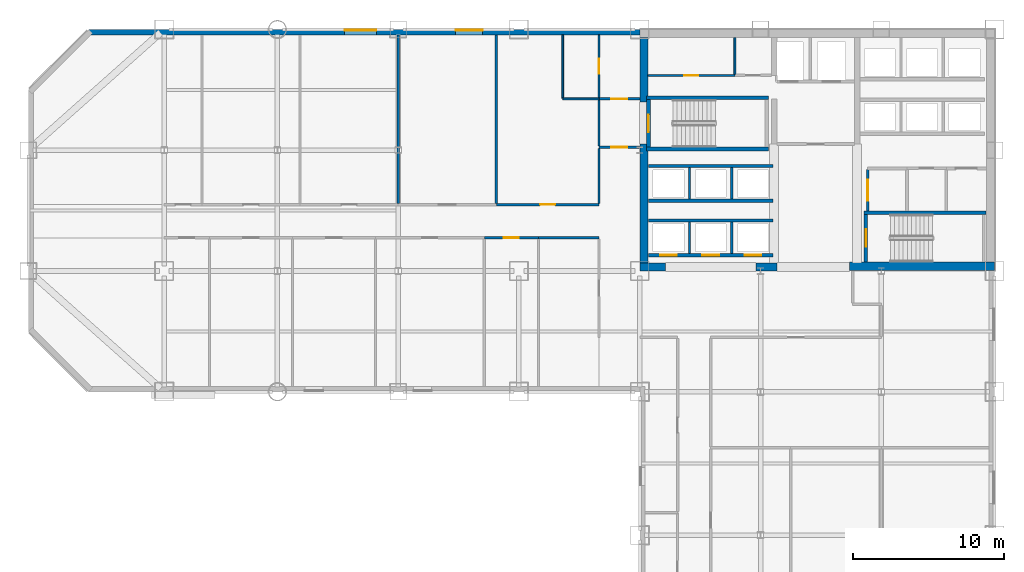
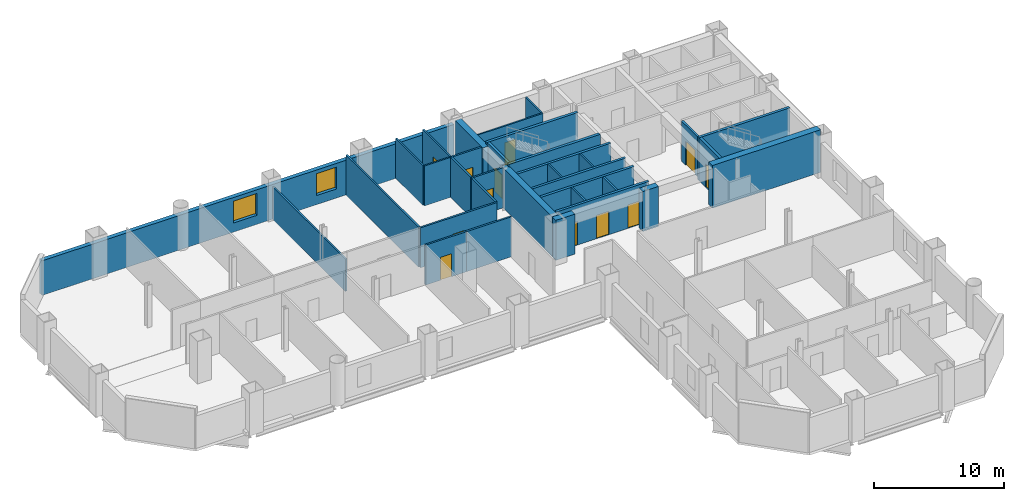
# One storey, part 6 of 9: 34 walls, 12 doors, 2 windows, 14 openings.
"""IFC4 building model written with IfcOpenShell, lengths in metres."""

from ifc_helpers import new_model, si_unit, direction, frame, frame_2d, origin, place, context, subcontext, project, spatial, rectangle, extrude, material, layer, layer_set, type_object, element, fill, save


model = new_model("IFC4")

# Units and contexts
model_context = context("Model", 3, precision=1e-05, world=origin(), true_north=direction((0.0, 1.0)))
body_context = subcontext(model_context, "Body", "Model", "MODEL_VIEW")
ifc_project = project(units=[si_unit("LENGTHUNIT", "METRE"), si_unit("AREAUNIT", "SQUARE_METRE"), si_unit("VOLUMEUNIT", "CUBIC_METRE"), si_unit("PLANEANGLEUNIT", "RADIAN"), si_unit("MASSUNIT", "GRAM", prefix="KILO")], contexts=[model_context])

# Site, building, storey
site_placement = place(None, origin())
site = spatial("IfcSite", under=ifc_project, at=site_placement, CompositionType="ELEMENT")
building_placement = place(site_placement, origin())
building = spatial("IfcBuilding", under=site, at=building_placement, Name="Qianrong Seaharbour Tower", CompositionType="ELEMENT")
storey_placement = place(building_placement, frame((0.0, 0.0, 92.199951171875)))
storey = spatial("IfcBuildingStorey", under=building, at=storey_placement, Name="L22", CompositionType="ELEMENT", Elevation=92.199951171875)

# Walls
ifc_material_1 = material(Name="Concrete C70/85", Category="concrete")
ifc_layer_1 = layer(ifc_material_1, 0.5400390625)
ifc_layer_set_1 = layer_set([ifc_layer_1], Name="Concrete C70/85")
wall_type_1 = type_object("IfcWallType", Name="WALL-CORE-540", PredefinedType="SHEAR", material=ifc_layer_set_1)
wall_1_placement = place(storey_placement, frame((40.77001953125, 36.5400390625, 0.0), z_axis=(0.0, 0.0, 1.0), x_axis=(0.0, 1.0, 0.0)))
element("IfcWall", 1, at=wall_1_placement, inside=storey, type_object=wall_type_1, Name="L22 West Core Shear Wall South", PredefinedType="SHEAR", context=body_context, shape_type="SweptSolid", body=[
    extrude(rectangle(XDim=7.85986328125, YDim=0.5400390625, at=frame_2d((3.929931640625, 0.0))), origin(), (0.0, 0.0, 1.0), 3.75),
])
wall_2_placement = place(storey_placement, frame((40.77001953125, 47.199951171875, 0.0), z_axis=(0.0, 0.0, 1.0), x_axis=(0.0, 1.0, 0.0)))
element("IfcWall", 2, at=wall_2_placement, inside=storey, type_object=wall_type_1, Name="L22 West Core Shear Wall North", PredefinedType="SHEAR", context=body_context, shape_type="SweptSolid", body=[
    extrude(rectangle(XDim=4.260009765625, YDim=0.5400390625, at=frame_2d((2.1298828125, 0.0))), origin(), (0.0, 0.0, 1.0), 3.75),
])
wall_3_placement = place(storey_placement, frame((40.5, 36.27001953125, 0.0), z_axis=(0.0, 0.0, 1.0), x_axis=(1.0, 0.0, 0.0)))
element("IfcWall", 3, at=wall_3_placement, inside=storey, type_object=wall_type_1, Name="L22 South Core Shear Wall S1", PredefinedType="SHEAR", context=body_context, shape_type="SweptSolid", body=[
    extrude(rectangle(XDim=1.699951171875, YDim=0.5400390625, at=frame_2d((0.85009765625, 0.0))), origin(), (0.0, 0.0, 1.0), 3.75),
])
wall_4_placement = place(storey_placement, frame((48.199951171875, 36.27001953125, 0.0), z_axis=(0.0, 0.0, 1.0), x_axis=(1.0, 0.0, 0.0)))
element("IfcWall", 4, at=wall_4_placement, inside=storey, type_object=wall_type_1, Name="L22 South Core Shear Wall S2", PredefinedType="SHEAR", context=body_context, shape_type="SweptSolid", body=[
    extrude(rectangle(XDim=1.400146484375, YDim=0.5400390625, at=frame_2d((0.7001953125, 0.0))), origin(), (0.0, 0.0, 1.0), 3.75),
])
ifc_layer_2 = layer(ifc_material_1, 0.580078125)
ifc_layer_set_2 = layer_set([ifc_layer_2], Name="Concrete C70/85")
wall_type_2 = type_object("IfcWallType", Name="WALL-CORE-580", PredefinedType="SHEAR", material=ifc_layer_set_2)
wall_5_placement = place(storey_placement, frame((54.39990234375, 36.320068359375, 0.0), z_axis=(0.0, 0.0, 1.0), x_axis=(1.0, 0.0, 0.0)))
element("IfcWall", 5, at=wall_5_placement, inside=storey, type_object=wall_type_2, Name="L22 South Core Shear Wall S3", PredefinedType="SHEAR", context=body_context, shape_type="SweptSolid", body=[
    extrude(rectangle(XDim=9.60009765625, YDim=0.580078125, at=frame_2d((4.800048828125, 0.0))), origin(), (0.0, 0.0, 1.0), 4.0),
])

# Wall, opening, door
ifc_material_2 = material(Name="Fire-rated acoustic gypsum board partition")
ifc_layer_3 = layer(ifc_material_2, 0.1650390625)
ifc_layer_set_3 = layer_set([ifc_layer_3], Name="Fire-rated acoustic gypsum board partition")
wall_type_3 = type_object("IfcWallType", Name="WALL-CORR-PART-165", PredefinedType="PARTITIONING", material=ifc_layer_set_3)
wall_6_placement = place(storey_placement, frame((37.800048828125, 47.39990234375, 0.0), z_axis=(0.0, 0.0, 1.0), x_axis=(1.0, 0.0, 0.0)))
wall_6 = element("IfcWall", 6, at=wall_6_placement, inside=storey, type_object=wall_type_3, Name="L22 Interior Partition Wall 001", PredefinedType="PARTITIONING", context=body_context, shape_type="SweptSolid", body=[
    extrude(rectangle(XDim=2.699951171875, YDim=0.1650390625, at=frame_2d((1.35009765625, 0.0))), origin(), (0.0, 0.0, 1.0), 3.75),
])
opening_1_placement = place(wall_6_placement, frame((0.824951171875, 0.0, 0.0)))
opening_1 = element("IfcOpeningElement", 7, at=opening_1_placement, cuts=wall_6, Name="Opening DC-01", PredefinedType="OPENING", context=body_context, shape_type="SweptSolid", body=[
    extrude(rectangle(XDim=1.050048828125, YDim=2.14990234375, at=frame_2d((0.52490234375, 1.074951171875))), frame((0.0, 0.092529296875, 0.0), z_axis=(0.0, -1.0, 0.0), x_axis=(1.0, 0.0, 0.0)), (0.0, 0.0, 1.0), 0.18505859375),
])
ifc_material_3 = material(Name="Acoustic timber and galvanized steel fire door assembly", Category="steel")
door_type_1 = type_object("IfcDoorType", Name="DOOR-CORR-FD60-1050x2150", OperationType="NOTDEFINED", PredefinedType="DOOR", material=ifc_material_3)
door_1_placement = place(opening_1_placement, origin())
door_1 = element("IfcDoor", 8, at=door_1_placement, inside=storey, type_object=door_type_1, Name="L22 Smokeproof Stair Vestibule ST-1 Door", OperationType="SINGLE_SWING_LEFT", OverallHeight=2.14990234375, OverallWidth=1.050048828125, PredefinedType="DOOR", context=body_context, shape_type="SweptSolid", body=[
    extrude(rectangle(XDim=1.050048828125, YDim=2.14990234375, at=frame_2d((0.52490234375, 1.074951171875))), frame((0.0, 0.02490234375, 0.0), z_axis=(0.0, -1.0, 0.0), x_axis=(1.0, 0.0, 0.0)), (0.0, 0.0, 1.0), 0.050048828125),
])
fill(opening_1, door_1)

wall_7_placement = place(storey_placement, frame((40.5, 44.199951171875, 0.0), z_axis=(0.0, 0.0, 1.0), x_axis=(-1.0, 0.0, 0.0)))
wall_7 = element("IfcWall", 9, at=wall_7_placement, inside=storey, type_object=wall_type_3, Name="L22 Interior Partition Wall 002", PredefinedType="PARTITIONING", context=body_context, shape_type="SweptSolid", body=[
    extrude(rectangle(XDim=2.699951171875, YDim=0.1650390625, at=frame_2d((1.35009765625, 0.0))), origin(), (0.0, 0.0, 1.0), 3.75),
])
opening_2_placement = place(wall_7_placement, frame((0.824951171875, 0.0, 0.0)))
opening_2 = element("IfcOpeningElement", 10, at=opening_2_placement, cuts=wall_7, Name="Opening DC-01", PredefinedType="OPENING", context=body_context, shape_type="SweptSolid", body=[
    extrude(rectangle(XDim=1.050048828125, YDim=2.14990234375, at=frame_2d((0.52490234375, 1.074951171875))), frame((0.0, 0.092529296875, 0.0), z_axis=(0.0, -1.0, 0.0), x_axis=(1.0, 0.0, 0.0)), (0.0, 0.0, 1.0), 0.18505859375),
])
door_2_placement = place(opening_2_placement, origin())
door_2 = element("IfcDoor", 11, at=door_2_placement, inside=storey, type_object=door_type_1, Name="L22 Smokeproof Stair Vestibule ST-1 Door", OperationType="SINGLE_SWING_RIGHT", OverallHeight=2.14990234375, OverallWidth=1.050048828125, PredefinedType="DOOR", context=body_context, shape_type="SweptSolid", body=[
    extrude(rectangle(XDim=1.050048828125, YDim=2.14990234375, at=frame_2d((0.52490234375, 1.074951171875))), frame((0.0, 0.02490234375, 0.0), z_axis=(0.0, -1.0, 0.0), x_axis=(1.0, 0.0, 0.0)), (0.0, 0.0, 1.0), 0.050048828125),
])
fill(opening_2, door_2)

# Wall
wall_8_placement = place(storey_placement, frame((37.800048828125, 44.2744140625, 0.0), z_axis=(0.0, 0.0, 1.0), x_axis=(0.0, 1.0, 0.0)))
element("IfcWall", 12, at=wall_8_placement, inside=storey, type_object=wall_type_3, Name="L22 Interior Partition Wall 003", PredefinedType="PARTITIONING", context=body_context, shape_type="SweptSolid", body=[
    extrude(rectangle(XDim=3.051025390625, YDim=0.1650390625, at=frame_2d((1.525390625, 0.0))), origin(), (0.0, 0.0, 1.0), 3.75),
])

# Wall, opening, door
wall_9_placement = place(storey_placement, frame((31.0, 40.39990234375, 0.0), z_axis=(0.0, 0.0, 1.0), x_axis=(1.0, 0.0, 0.0)))
wall_9 = element("IfcWall", 13, at=wall_9_placement, inside=storey, type_object=wall_type_3, Name="L22 Interior Partition Wall 021", PredefinedType="PARTITIONING", context=body_context, shape_type="SweptSolid", body=[
    extrude(rectangle(XDim=6.800048828125, YDim=0.1650390625, at=frame_2d((3.39990234375, 0.0))), origin(), (0.0, 0.0, 1.0), 3.75),
])
opening_3_placement = place(wall_9_placement, frame((2.89990234375, 0.0, 0.0)))
opening_3 = element("IfcOpeningElement", 14, at=opening_3_placement, cuts=wall_9, Name="Opening DO-01", PredefinedType="OPENING", context=body_context, shape_type="SweptSolid", body=[
    extrude(rectangle(XDim=1.0, YDim=2.14990234375, at=frame_2d((0.5, 1.074951171875))), frame((0.0, 0.092529296875, 0.0), z_axis=(0.0, -1.0, 0.0), x_axis=(1.0, 0.0, 0.0)), (0.0, 0.0, 1.0), 0.18505859375),
])
door_type_2 = type_object("IfcDoorType", Name="DOOR-OFFICE-1000x2150", OperationType="NOTDEFINED", PredefinedType="DOOR", material=ifc_material_3)
door_3_placement = place(opening_3_placement, origin())
door_3 = element("IfcDoor", 15, at=door_3_placement, inside=storey, type_object=door_type_2, Name="L22 Vessel Model Showroom 5 Door", OperationType="SINGLE_SWING_RIGHT", OverallHeight=2.14990234375, OverallWidth=1.0, PredefinedType="DOOR", context=body_context, shape_type="SweptSolid", body=[
    extrude(rectangle(XDim=1.0, YDim=2.14990234375, at=frame_2d((0.5, 1.074951171875))), frame((0.0, 0.02490234375, 0.0), z_axis=(0.0, -1.0, 0.0), x_axis=(1.0, 0.0, 0.0)), (0.0, 0.0, 1.0), 0.050048828125),
])
fill(opening_3, door_3)

wall_10_placement = place(storey_placement, frame((33.800048828125, 38.199951171875, 0.0), z_axis=(0.0, 0.0, 1.0), x_axis=(-1.0, 0.0, 0.0)))
wall_10 = element("IfcWall", 16, at=wall_10_placement, inside=storey, type_object=wall_type_3, Name="L22 Interior Partition Wall 026", PredefinedType="PARTITIONING", context=body_context, shape_type="SweptSolid", body=[
    extrude(rectangle(XDim=3.60009765625, YDim=0.1650390625, at=frame_2d((1.800048828125, 0.0))), origin(), (0.0, 0.0, 1.0), 3.75),
])
opening_4_placement = place(wall_10_placement, frame((1.300048828125, 0.0, 0.0)))
opening_4 = element("IfcOpeningElement", 17, at=opening_4_placement, cuts=wall_10, Name="Opening DO-01", PredefinedType="OPENING", context=body_context, shape_type="SweptSolid", body=[
    extrude(rectangle(XDim=1.0, YDim=2.14990234375, at=frame_2d((0.5, 1.074951171875))), frame((0.0, 0.092529296875, 0.0), z_axis=(0.0, -1.0, 0.0), x_axis=(1.0, 0.0, 0.0)), (0.0, 0.0, 1.0), 0.18505859375),
])
door_4_placement = place(opening_4_placement, origin())
door_4 = element("IfcDoor", 18, at=door_4_placement, inside=storey, type_object=door_type_2, Name="L22 Fleet Logistics Showroom 5 Door", OperationType="SINGLE_SWING_LEFT", OverallHeight=2.14990234375, OverallWidth=1.0, PredefinedType="DOOR", context=body_context, shape_type="SweptSolid", body=[
    extrude(rectangle(XDim=1.0, YDim=2.14990234375, at=frame_2d((0.5, 1.074951171875))), frame((0.0, 0.02490234375, 0.0), z_axis=(0.0, -1.0, 0.0), x_axis=(1.0, 0.0, 0.0)), (0.0, 0.0, 1.0), 0.050048828125),
])
fill(opening_4, door_4)

# Walls
wall_11_placement = place(storey_placement, frame((37.800048828125, 38.199951171875, 0.0), z_axis=(0.0, 0.0, 1.0), x_axis=(-1.0, 0.0, 0.0)))
element("IfcWall", 19, at=wall_11_placement, inside=storey, type_object=wall_type_3, Name="L22 Interior Partition Wall 027", PredefinedType="PARTITIONING", context=body_context, shape_type="SweptSolid", body=[
    extrude(rectangle(XDim=4.0, YDim=0.1650390625, at=frame_2d((2.0, 0.0))), origin(), (0.0, 0.0, 1.0), 3.75),
])
wall_12_placement = place(storey_placement, frame((37.800048828125, 40.474609375, 0.0), z_axis=(0.0, 0.0, 1.0), x_axis=(0.0, 1.0, 0.0)))
element("IfcWall", 20, at=wall_12_placement, inside=storey, type_object=wall_type_3, Name="L22 Interior Partition Wall 028", PredefinedType="PARTITIONING", context=body_context, shape_type="SweptSolid", body=[
    extrude(rectangle(XDim=3.65087890625, YDim=0.1650390625, at=frame_2d((1.825439453125, 0.0))), origin(), (0.0, 0.0, 1.0), 3.75),
])

# Wall, openings, windows
ifc_material_4 = material(Name="Unitised red brick on Precast concrete C45/55", Category="masonry")
ifc_layer_4 = layer(ifc_material_4, 0.360107421875)
ifc_layer_set_4 = layer_set([ifc_layer_4], Name="Unitised red brick on Precast concrete C45/55")
wall_type_4 = type_object("IfcWallType", Name="WALL-EXT-BRICK-RED-360", PredefinedType="SOLIDWALL", material=ifc_layer_set_4)
wall_13_placement = place(storey_placement, frame((4.0, 51.820068359375, 0.0), z_axis=(0.0, 0.0, 1.0), x_axis=(1.0, 0.0, 0.0)))
wall_13 = element("IfcWall", 21, at=wall_13_placement, inside=storey, type_object=wall_type_4, Name="L22 Exterior Masonry Facade Wall NORTH_WING", PredefinedType="SOLIDWALL", context=body_context, shape_type="SweptSolid", body=[
    extrude(rectangle(XDim=36.52001953125, YDim=0.360107421875, at=frame_2d((18.260009765625, 0.0))), origin(), (0.0, 0.0, 1.0), 3.25),
])
opening_5_placement = place(wall_13_placement, frame((16.949951171875, 0.0, 0.85009765625)))
opening_5 = element("IfcOpeningElement", 22, at=opening_5_placement, cuts=wall_13, Name="Opening WN-06", PredefinedType="OPENING", context=body_context, shape_type="SweptSolid", body=[
    extrude(rectangle(XDim=2.10009765625, YDim=2.050048828125, at=frame_2d((1.050048828125, 1.02490234375))), frame((0.0, 0.18994140625, 0.0), z_axis=(0.0, -1.0, 0.0), x_axis=(1.0, 0.0, 0.0)), (0.0, 0.0, 1.0), 0.380126953125),
])
opening_6_placement = place(wall_13_placement, frame((24.300048828125, 0.0, 0.85009765625)))
opening_6 = element("IfcOpeningElement", 23, at=opening_6_placement, cuts=wall_13, Name="Opening WN-05", PredefinedType="OPENING", context=body_context, shape_type="SweptSolid", body=[
    extrude(rectangle(XDim=1.800048828125, YDim=2.050048828125, at=frame_2d((0.89990234375, 1.02490234375))), frame((0.0, 0.18994140625, 0.0), z_axis=(0.0, -1.0, 0.0), x_axis=(1.0, 0.0, 0.0)), (0.0, 0.0, 1.0), 0.380126953125),
])
ifc_material_5 = material(Name="Insulated low-e double glazing in thermally broken aluminium 6063-T6 frame", Category="aluminium")
window_type_1 = type_object("IfcWindowType", Name="WIN-PUNCH-1800x2050", PartitioningType="TRIPLE_PANEL_VERTICAL", PredefinedType="WINDOW", material=ifc_material_5)
window_1_placement = place(opening_6_placement, origin())
window_1 = element("IfcWindow", 24, at=window_1_placement, inside=storey, type_object=window_type_1, Name="L22 Deep-Set Punched Window 05.07", OverallHeight=2.050048828125, OverallWidth=1.800048828125, PartitioningType="TRIPLE_PANEL_VERTICAL", PredefinedType="WINDOW", context=body_context, shape_type="SweptSolid", body=[
    extrude(rectangle(XDim=1.800048828125, YDim=2.050048828125, at=frame_2d((0.89990234375, 1.02490234375))), frame((0.0, 0.150146484375, 0.0), z_axis=(0.0, -1.0, 0.0), x_axis=(1.0, 0.0, 0.0)), (0.0, 0.0, 1.0), 0.06005859375),
])
fill(opening_6, window_1)
window_type_2 = type_object("IfcWindowType", Name="WIN-PUNCH-2100x2050", PartitioningType="TRIPLE_PANEL_VERTICAL", PredefinedType="WINDOW", material=ifc_material_5)
window_2_placement = place(opening_5_placement, origin())
window_2 = element("IfcWindow", 25, at=window_2_placement, inside=storey, type_object=window_type_2, Name="L22 Deep-Set Punched Window 05.05", OverallHeight=2.050048828125, OverallWidth=2.10009765625, PartitioningType="TRIPLE_PANEL_VERTICAL", PredefinedType="WINDOW", context=body_context, shape_type="SweptSolid", body=[
    extrude(rectangle(XDim=2.10009765625, YDim=2.050048828125, at=frame_2d((1.050048828125, 1.02490234375))), frame((0.0, 0.150146484375, 0.0), z_axis=(0.0, -1.0, 0.0), x_axis=(1.0, 0.0, 0.0)), (0.0, 0.0, 1.0), 0.06005859375),
])
fill(opening_5, window_2)

# Wall, opening, door
ifc_material_6 = material(Name="Double fire-rated gypsum board acoustic partition")
ifc_layer_5 = layer(ifc_material_6, 0.18994140625)
ifc_layer_set_5 = layer_set([ifc_layer_5], Name="Double fire-rated gypsum board acoustic partition")
wall_type_5 = type_object("IfcWallType", Name="WALL-FIRE-PART-190", PredefinedType="PARTITIONING", material=ifc_layer_set_5)
wall_14_placement = place(storey_placement, frame((55.60009765625, 42.712890625, 0.0), z_axis=(0.0, 0.0, 1.0), x_axis=(0.0, -1.0, 0.0)))
wall_14 = element("IfcWall", 26, at=wall_14_placement, inside=storey, type_object=wall_type_5, Name="L22 Interior Partition Wall 010", PredefinedType="PARTITIONING", context=body_context, shape_type="SweptSolid", body=[
    extrude(rectangle(XDim=2.73095703125, YDim=0.18994140625, at=frame_2d((1.365478515625, 0.0))), origin(), (0.0, 0.0, 1.0), 3.75),
])
opening_7_placement = place(wall_14_placement, frame((0.66552734375, 0.0, 0.0)))
opening_7 = element("IfcOpeningElement", 27, at=opening_7_placement, cuts=wall_14, Name="Opening DP-01", PredefinedType="OPENING", context=body_context, shape_type="SweptSolid", body=[
    extrude(rectangle(XDim=1.39990234375, YDim=2.25, at=frame_2d((0.699951171875, 1.125))), frame((0.0, 0.10498046875, 0.0), z_axis=(0.0, -1.0, 0.0), x_axis=(1.0, 0.0, 0.0)), (0.0, 0.0, 1.0), 0.2099609375),
])
door_type_3 = type_object("IfcDoorType", Name="DOOR-PLANT-PAIR-1400x2250", OperationType="DOUBLE_DOOR_SINGLE_SWING", PredefinedType="DOOR", material=ifc_material_3)
door_5_placement = place(opening_7_placement, origin())
door_5 = element("IfcDoor", 28, at=door_5_placement, inside=storey, type_object=door_type_3, Name="L22 Core Telecom Room Door", OperationType="DOUBLE_DOOR_SINGLE_SWING", OverallHeight=2.25, OverallWidth=1.39990234375, PredefinedType="DOOR", context=body_context, shape_type="SweptSolid", body=[
    extrude(rectangle(XDim=1.39990234375, YDim=2.25, at=frame_2d((0.699951171875, 1.125))), frame((0.0, 0.02490234375, 0.0), z_axis=(0.0, -1.0, 0.0), x_axis=(1.0, 0.0, 0.0)), (0.0, 0.0, 1.0), 0.050048828125),
])
fill(opening_7, door_5)

# Walls
ifc_material_7 = material(Name="Acoustic gypsum board stud partition")
ifc_layer_6 = layer(ifc_material_7, 0.14501953125)
ifc_layer_set_6 = layer_set([ifc_layer_6], Name="Acoustic gypsum board stud partition")
wall_type_6 = type_object("IfcWallType", Name="WALL-OFFICE-PART-145", PredefinedType="PARTITIONING", material=ifc_layer_set_6)
wall_15_placement = place(storey_placement, frame((24.5, 51.64794921875, 0.0), z_axis=(0.0, 0.0, 1.0), x_axis=(0.0, -1.0, 0.0)))
element("IfcWall", 29, at=wall_15_placement, inside=storey, type_object=wall_type_6, Name="L22 Interior Partition Wall 054", PredefinedType="PARTITIONING", context=body_context, shape_type="SweptSolid", body=[
    extrude(rectangle(XDim=11.17333984375, YDim=0.14501953125, at=frame_2d((5.586669921875, 0.0))), origin(), (0.0, 0.0, 1.0), 3.0419921875),
])
wall_16_placement = place(storey_placement, frame((31.0, 51.64794921875, 0.0), z_axis=(0.0, 0.0, 1.0), x_axis=(0.0, -1.0, 0.0)))
element("IfcWall", 30, at=wall_16_placement, inside=storey, type_object=wall_type_6, Name="L22 Interior Partition Wall 055", PredefinedType="PARTITIONING", context=body_context, shape_type="SweptSolid", body=[
    extrude(rectangle(XDim=11.17333984375, YDim=0.14501953125, at=frame_2d((5.586669921875, 0.0))), origin(), (0.0, 0.0, 1.0), 3.75),
])
ifc_material_8 = material(Name="Fire-rated gypsum board on steel studs", Category="steel")
ifc_layer_7 = layer(ifc_material_8, 0.14990234375)
ifc_layer_set_7 = layer_set([ifc_layer_7], Name="Fire-rated gypsum board on steel studs")
wall_type_7 = type_object("IfcWallType", Name="WALL-SHAFT-DIV-150", PredefinedType="PARTITIONING", material=ifc_layer_set_7)
for number, where, z_axis, x_axis, name in (
    (31, (43.800048828125, 37.159912109375, 0.0), (0.0, 0.0, 1.0), (0.0, 1.0, 0.0), "L22 P1 Lift Hoistway Divider 2"),
    (32, (46.60009765625, 37.159912109375, 0.0), (0.0, 0.0, 1.0), (0.0, 1.0, 0.0), "L22 P1 Lift Hoistway Divider 3"),
    (33, (43.800048828125, 40.760009765625, 0.0), (0.0, 0.0, 1.0), (0.0, 1.0, 0.0), "L22 P2 Lift Hoistway Divider 2"),
    (34, (46.60009765625, 40.760009765625, 0.0), (0.0, 0.0, 1.0), (0.0, 1.0, 0.0), "L22 P2 Lift Hoistway Divider 3"),
):
    element("IfcWall", number, at=place(storey_placement, frame(where, z_axis=z_axis, x_axis=x_axis)), inside=storey, type_object=wall_type_7, Name=name, PredefinedType="PARTITIONING", context=body_context, shape_type="SweptSolid", body=[
        extrude(rectangle(XDim=2.080078125, YDim=0.14990234375, at=frame_2d((1.0400390625, 0.0))), origin(), (0.0, 0.0, 1.0), 3.75),
    ])

# Wall, openings, doors
ifc_layer_8 = layer(ifc_material_8, 0.219970703125)
ifc_layer_set_8 = layer_set([ifc_layer_8], Name="Fire-rated gypsum board on steel studs")
wall_type_8 = type_object("IfcWallType", Name="WALL-SHAFT-GYP220", PredefinedType="PARTITIONING", material=ifc_layer_set_8)
wall_17_placement = place(storey_placement, frame((49.320068359375, 37.050048828125, 0.0), z_axis=(0.0, 0.0, 1.0), x_axis=(-1.0, 0.0, 0.0)))
wall_17 = element("IfcWall", 35, at=wall_17_placement, inside=storey, type_object=wall_type_8, Name="L22 P1 Lift Hoistway Front Wall", PredefinedType="PARTITIONING", context=body_context, shape_type="SweptSolid", body=[
    extrude(rectangle(XDim=8.239990234375, YDim=0.219970703125, at=frame_2d((4.1201171875, 0.0))), origin(), (0.0, 0.0, 1.0), 3.75),
])
opening_8_placement = place(wall_17_placement, frame((6.3701171875, 0.0, 0.0)))
opening_8 = element("IfcOpeningElement", 36, at=opening_8_placement, cuts=wall_17, Name="Opening LD-02", PredefinedType="OPENING", context=body_context, shape_type="SweptSolid", body=[
    extrude(rectangle(XDim=1.10009765625, YDim=2.199951171875, at=frame_2d((0.550048828125, 1.10009765625))), frame((0.0, 0.1201171875, 0.0), z_axis=(0.0, -1.0, 0.0), x_axis=(1.0, 0.0, 0.0)), (0.0, 0.0, 1.0), 0.239990234375),
])
opening_9_placement = place(wall_17_placement, frame((3.570068359375, 0.0, 0.0)))
opening_9 = element("IfcOpeningElement", 37, at=opening_9_placement, cuts=wall_17, Name="Opening LD-02", PredefinedType="OPENING", context=body_context, shape_type="SweptSolid", body=[
    extrude(rectangle(XDim=1.10009765625, YDim=2.199951171875, at=frame_2d((0.550048828125, 1.10009765625))), frame((0.0, 0.1201171875, 0.0), z_axis=(0.0, -1.0, 0.0), x_axis=(1.0, 0.0, 0.0)), (0.0, 0.0, 1.0), 0.239990234375),
])
opening_10_placement = place(wall_17_placement, frame((0.77001953125, 0.0, 0.0)))
opening_10 = element("IfcOpeningElement", 38, at=opening_10_placement, cuts=wall_17, Name="Opening LD-02", PredefinedType="OPENING", context=body_context, shape_type="SweptSolid", body=[
    extrude(rectangle(XDim=1.10009765625, YDim=2.199951171875, at=frame_2d((0.550048828125, 1.10009765625))), frame((0.0, 0.1201171875, 0.0), z_axis=(0.0, -1.0, 0.0), x_axis=(1.0, 0.0, 0.0)), (0.0, 0.0, 1.0), 0.239990234375),
])
ifc_material_9 = material(Name="Stainless steel SUS316L bi-parting lift landing door", Category="steel")
door_type_4 = type_object("IfcDoorType", Name="DOOR-LIFT-PASS-1100x2200", OperationType="DOUBLE_DOOR_SLIDING", PredefinedType="DOOR", material=ifc_material_9)
door_6_placement = place(opening_8_placement, origin())
door_6 = element("IfcDoor", 39, at=door_6_placement, inside=storey, type_object=door_type_4, Name="L22 PL-1A Lift Landing Door", OperationType="DOUBLE_DOOR_SLIDING", OverallHeight=2.199951171875, OverallWidth=1.10009765625, PredefinedType="DOOR", context=body_context, shape_type="SweptSolid", body=[
    extrude(rectangle(XDim=1.10009765625, YDim=2.199951171875, at=frame_2d((0.550048828125, 1.10009765625))), frame((0.0, 0.02490234375, 0.0), z_axis=(0.0, -1.0, 0.0), x_axis=(1.0, 0.0, 0.0)), (0.0, 0.0, 1.0), 0.050048828125),
])
fill(opening_8, door_6)
door_7_placement = place(opening_9_placement, origin())
door_7 = element("IfcDoor", 40, at=door_7_placement, inside=storey, type_object=door_type_4, Name="L22 PL-1B Lift Landing Door", OperationType="DOUBLE_DOOR_SLIDING", OverallHeight=2.199951171875, OverallWidth=1.10009765625, PredefinedType="DOOR", context=body_context, shape_type="SweptSolid", body=[
    extrude(rectangle(XDim=1.10009765625, YDim=2.199951171875, at=frame_2d((0.550048828125, 1.10009765625))), frame((0.0, 0.02490234375, 0.0), z_axis=(0.0, -1.0, 0.0), x_axis=(1.0, 0.0, 0.0)), (0.0, 0.0, 1.0), 0.050048828125),
])
fill(opening_9, door_7)
door_8_placement = place(opening_10_placement, origin())
door_8 = element("IfcDoor", 41, at=door_8_placement, inside=storey, type_object=door_type_4, Name="L22 PL-1C Lift Landing Door", OperationType="DOUBLE_DOOR_SLIDING", OverallHeight=2.199951171875, OverallWidth=1.10009765625, PredefinedType="DOOR", context=body_context, shape_type="SweptSolid", body=[
    extrude(rectangle(XDim=1.10009765625, YDim=2.199951171875, at=frame_2d((0.550048828125, 1.10009765625))), frame((0.0, 0.02490234375, 0.0), z_axis=(0.0, -1.0, 0.0), x_axis=(1.0, 0.0, 0.0)), (0.0, 0.0, 1.0), 0.050048828125),
])
fill(opening_10, door_8)

# Walls
for number, where, z_axis, x_axis, name in (
    (42, (41.080078125, 39.35009765625, 0.0), (0.0, 0.0, 1.0), (1.0, 0.0, 0.0), "L22 P1 Lift Hoistway Back Wall"),
    (43, (49.320068359375, 40.64990234375, 0.0), (0.0, 0.0, 1.0), (-1.0, 0.0, 0.0), "L22 P2 Lift Hoistway Front Wall"),
    (44, (41.080078125, 42.949951171875, 0.0), (0.0, 0.0, 1.0), (1.0, 0.0, 0.0), "L22 P2 Lift Hoistway Back Wall"),
):
    element("IfcWall", number, at=place(storey_placement, frame(where, z_axis=z_axis, x_axis=x_axis)), inside=storey, type_object=wall_type_8, Name=name, PredefinedType="PARTITIONING", context=body_context, shape_type="SweptSolid", body=[
        extrude(rectangle(XDim=8.239990234375, YDim=0.219970703125, at=frame_2d((4.1201171875, 0.0))), origin(), (0.0, 0.0, 1.0), 3.75),
    ])
ifc_material_10 = material(Name="Concrete C50/60", Category="concrete")
ifc_layer_9 = layer(ifc_material_10, 0.239990234375)
ifc_layer_set_9 = layer_set([ifc_layer_9], Name="Concrete C50/60")
wall_type_9 = type_object("IfcWallType", Name="WALL-SHAFT-RC240", PredefinedType="SOLIDWALL", material=ifc_layer_set_9)
for number, where, z_axis, x_axis, name in (
    (45, (40.9599609375, 47.469970703125, 0.0), (0.0, 0.0, 1.0), (1.0, 0.0, 0.0), "L22 ST-1 Structural Stair Core Wall N"),
    (46, (49.0400390625, 44.080078125, 0.0), (0.0, 0.0, 1.0), (-1.0, 0.0, 0.0), "L22 ST-1 Structural Stair Core Wall S"),
):
    element("IfcWall", number, at=place(storey_placement, frame(where, z_axis=z_axis, x_axis=x_axis)), inside=storey, type_object=wall_type_9, Name=name, PredefinedType="SOLIDWALL", context=body_context, shape_type="SweptSolid", body=[
        extrude(rectangle(XDim=8.080078125, YDim=0.239990234375, at=frame_2d((4.0400390625, 0.0))), origin(), (0.0, 0.0, 1.0), 4.0),
    ])

# Wall, opening, door
wall_18_placement = place(storey_placement, frame((41.080078125, 47.35009765625, 0.0), z_axis=(0.0, 0.0, 1.0), x_axis=(0.0, -1.0, 0.0)))
wall_18 = element("IfcWall", 47, at=wall_18_placement, inside=storey, type_object=wall_type_9, Name="L22 ST-1 Structural Stair Core Wall W", PredefinedType="SOLIDWALL", context=body_context, shape_type="SweptSolid", body=[
    extrude(rectangle(XDim=3.150146484375, YDim=0.239990234375, at=frame_2d((1.5751953125, 0.0))), origin(), (0.0, 0.0, 1.0), 4.0),
])
opening_11_placement = place(wall_18_placement, frame((1.0, 0.0, 0.0)))
opening_11 = element("IfcOpeningElement", 48, at=opening_11_placement, cuts=wall_18, Name="Opening SD-01", PredefinedType="OPENING", context=body_context, shape_type="SweptSolid", body=[
    extrude(rectangle(XDim=1.14990234375, YDim=2.199951171875, at=frame_2d((0.574951171875, 1.10009765625))), frame((0.0, 0.1298828125, 0.0), z_axis=(0.0, -1.0, 0.0), x_axis=(1.0, 0.0, 0.0)), (0.0, 0.0, 1.0), 0.260009765625),
])
door_type_5 = type_object("IfcDoorType", Name="DOOR-STAIR-FD60-1150x2200", OperationType="NOTDEFINED", PredefinedType="DOOR", material=ifc_material_3)
door_9_placement = place(opening_11_placement, origin())
door_9 = element("IfcDoor", 49, at=door_9_placement, inside=storey, type_object=door_type_5, Name="L22 ST-1 Protected Stair Door", OperationType="SINGLE_SWING_LEFT", OverallHeight=2.199951171875, OverallWidth=1.14990234375, PredefinedType="DOOR", context=body_context, shape_type="SweptSolid", body=[
    extrude(rectangle(XDim=1.14990234375, YDim=2.199951171875, at=frame_2d((0.574951171875, 1.10009765625))), frame((0.0, 0.02490234375, 0.0), z_axis=(0.0, -1.0, 0.0), x_axis=(1.0, 0.0, 0.0)), (0.0, 0.0, 1.0), 0.050048828125),
])
fill(opening_11, door_9)

# Wall
wall_19_placement = place(storey_placement, frame((55.360107421875, 39.8701171875, 0.0), z_axis=(0.0, 0.0, 1.0), x_axis=(1.0, 0.0, 0.0)))
element("IfcWall", 50, at=wall_19_placement, inside=storey, type_object=wall_type_9, Name="L22 ST-2 Structural Stair Core Wall N", PredefinedType="SOLIDWALL", context=body_context, shape_type="SweptSolid", body=[
    extrude(rectangle(XDim=8.079833984375, YDim=0.239990234375, at=frame_2d((4.0400390625, 0.0))), origin(), (0.0, 0.0, 1.0), 4.0),
])

# Wall, opening, door
wall_20_placement = place(storey_placement, frame((55.47998046875, 39.75, 0.0), z_axis=(0.0, 0.0, 1.0), x_axis=(0.0, -1.0, 0.0)))
wall_20 = element("IfcWall", 51, at=wall_20_placement, inside=storey, type_object=wall_type_9, Name="L22 ST-2 Structural Stair Core Wall W", PredefinedType="SOLIDWALL", context=body_context, shape_type="SweptSolid", body=[
    extrude(rectangle(XDim=3.14990234375, YDim=0.239990234375, at=frame_2d((1.574951171875, 0.0))), origin(), (0.0, 0.0, 1.0), 4.0),
])
opening_12_placement = place(wall_20_placement, frame((1.0, 0.0, 0.0)))
opening_12 = element("IfcOpeningElement", 52, at=opening_12_placement, cuts=wall_20, Name="Opening SD-01", PredefinedType="OPENING", context=body_context, shape_type="SweptSolid", body=[
    extrude(rectangle(XDim=1.14990234375, YDim=2.199951171875, at=frame_2d((0.574951171875, 1.10009765625))), frame((0.0, 0.1298828125, 0.0), z_axis=(0.0, -1.0, 0.0), x_axis=(1.0, 0.0, 0.0)), (0.0, 0.0, 1.0), 0.260009765625),
])
door_10_placement = place(opening_12_placement, origin())
door_10 = element("IfcDoor", 53, at=door_10_placement, inside=storey, type_object=door_type_5, Name="L22 ST-2 Protected Stair Door", OperationType="SINGLE_SWING_LEFT", OverallHeight=2.199951171875, OverallWidth=1.14990234375, PredefinedType="DOOR", context=body_context, shape_type="SweptSolid", body=[
    extrude(rectangle(XDim=1.14990234375, YDim=2.199951171875, at=frame_2d((0.574951171875, 1.10009765625))), frame((0.0, 0.02490234375, 0.0), z_axis=(0.0, -1.0, 0.0), x_axis=(1.0, 0.0, 0.0)), (0.0, 0.0, 1.0), 0.050048828125),
])
fill(opening_12, door_10)

ifc_material_11 = material(Name="Water-resistant cement board sanitary partition")
ifc_layer_10 = layer(ifc_material_11, 0.1298828125)
ifc_layer_set_10 = layer_set([ifc_layer_10], Name="Water-resistant cement board sanitary partition")
wall_type_10 = type_object("IfcWallType", Name="WALL-WET-PART-130", PredefinedType="PARTITIONING", material=ifc_layer_set_10)
wall_21_placement = place(storey_placement, frame((37.800048828125, 47.474609375, 0.0), z_axis=(0.0, 0.0, 1.0), x_axis=(0.0, 1.0, 0.0)))
wall_21 = element("IfcWall", 54, at=wall_21_placement, inside=storey, type_object=wall_type_10, Name="L22 Interior Partition Wall 004", PredefinedType="PARTITIONING", context=body_context, shape_type="SweptSolid", body=[
    extrude(rectangle(XDim=4.17333984375, YDim=0.1298828125, at=frame_2d((2.086669921875, 0.0))), origin(), (0.0, 0.0, 1.0), 3.75),
])
opening_13_placement = place(wall_21_placement, frame((1.57666015625, 0.0, 0.0)))
opening_13 = element("IfcOpeningElement", 55, at=opening_13_placement, cuts=wall_21, Name="Opening DAW-01", PredefinedType="OPENING", context=body_context, shape_type="SweptSolid", body=[
    extrude(rectangle(XDim=1.02001953125, YDim=2.14990234375, at=frame_2d((0.510009765625, 1.074951171875))), frame((0.0, 0.074951171875, 0.0), z_axis=(0.0, -1.0, 0.0), x_axis=(1.0, 0.0, 0.0)), (0.0, 0.0, 1.0), 0.14990234375),
])
door_type_6 = type_object("IfcDoorType", Name="DOOR-AWC-SLIDE-1020x2150", OperationType="SLIDING_TO_LEFT", PredefinedType="DOOR", material=ifc_material_3)
door_11_placement = place(opening_13_placement, origin())
door_11 = element("IfcDoor", 56, at=door_11_placement, inside=storey, type_object=door_type_6, Name="L22 Accessible Restroom WC Door", OperationType="SLIDING_TO_LEFT", OverallHeight=2.14990234375, OverallWidth=1.02001953125, PredefinedType="DOOR", context=body_context, shape_type="SweptSolid", body=[
    extrude(rectangle(XDim=1.02001953125, YDim=2.14990234375, at=frame_2d((0.510009765625, 1.074951171875))), frame((0.0, 0.02490234375, 0.0), z_axis=(0.0, -1.0, 0.0), x_axis=(1.0, 0.0, 0.0)), (0.0, 0.0, 1.0), 0.050048828125),
])
fill(opening_13, door_11)

# Walls
wall_22_placement = place(storey_placement, frame((37.800048828125, 47.39990234375, 0.0), z_axis=(0.0, 0.0, 1.0), x_axis=(-1.0, 0.0, 0.0)))
element("IfcWall", 57, at=wall_22_placement, inside=storey, type_object=wall_type_10, Name="L22 Interior Partition Wall 005", PredefinedType="PARTITIONING", context=body_context, shape_type="SweptSolid", body=[
    extrude(rectangle(XDim=2.400146484375, YDim=0.1298828125, at=frame_2d((1.2001953125, 0.0))), origin(), (0.0, 0.0, 1.0), 3.75),
])
wall_23_placement = place(storey_placement, frame((35.39990234375, 47.45703125, 0.0), z_axis=(0.0, 0.0, 1.0), x_axis=(0.0, 1.0, 0.0)))
element("IfcWall", 58, at=wall_23_placement, inside=storey, type_object=wall_type_10, Name="L22 Interior Partition Wall 006", PredefinedType="PARTITIONING", context=body_context, shape_type="SweptSolid", body=[
    extrude(rectangle(XDim=4.19091796875, YDim=0.1298828125, at=frame_2d((2.095458984375, 0.0))), origin(), (0.0, 0.0, 1.0), 3.75),
])

# Wall, opening, door
wall_24_placement = place(storey_placement, frame((41.0400390625, 48.949951171875, 0.0), z_axis=(0.0, 0.0, 1.0), x_axis=(1.0, 0.0, 0.0)))
wall_24 = element("IfcWall", 59, at=wall_24_placement, inside=storey, type_object=wall_type_10, Name="L22 Interior Partition Wall 007", PredefinedType="PARTITIONING", context=body_context, shape_type="SweptSolid", body=[
    extrude(rectangle(XDim=5.760009765625, YDim=0.1298828125, at=frame_2d((2.8798828125, 0.0))), origin(), (0.0, 0.0, 1.0), 3.75),
])
opening_14_placement = place(wall_24_placement, frame((2.419921875, 0.0, 0.0)))
opening_14 = element("IfcOpeningElement", 60, at=opening_14_placement, cuts=wall_24, Name="Opening DW-01", PredefinedType="OPENING", context=body_context, shape_type="SweptSolid", body=[
    extrude(rectangle(XDim=0.919921875, YDim=2.14990234375, at=frame_2d((0.4599609375, 1.074951171875))), frame((0.0, 0.074951171875, 0.0), z_axis=(0.0, -1.0, 0.0), x_axis=(1.0, 0.0, 0.0)), (0.0, 0.0, 1.0), 0.14990234375),
])
door_type_7 = type_object("IfcDoorType", Name="DOOR-WC-920x2150", OperationType="NOTDEFINED", PredefinedType="DOOR", material=ifc_material_3)
door_12_placement = place(opening_14_placement, origin())
door_12 = element("IfcDoor", 61, at=door_12_placement, inside=storey, type_object=door_type_7, Name="L22 Restroom WC Suite Door", OperationType="SINGLE_SWING_LEFT", OverallHeight=2.14990234375, OverallWidth=0.919921875, PredefinedType="DOOR", context=body_context, shape_type="SweptSolid", body=[
    extrude(rectangle(XDim=0.919921875, YDim=2.14990234375, at=frame_2d((0.4599609375, 1.074951171875))), frame((0.0, 0.02490234375, 0.0), z_axis=(0.0, -1.0, 0.0), x_axis=(1.0, 0.0, 0.0)), (0.0, 0.0, 1.0), 0.050048828125),
])
fill(opening_14, door_12)

# Wall
wall_25_placement = place(storey_placement, frame((46.800048828125, 51.4599609375, 0.0), z_axis=(0.0, 0.0, 1.0), x_axis=(0.0, -1.0, 0.0)))
element("IfcWall", 62, at=wall_25_placement, inside=storey, type_object=wall_type_10, Name="L22 Interior Partition Wall 014", PredefinedType="PARTITIONING", context=body_context, shape_type="SweptSolid", body=[
    extrude(rectangle(XDim=2.435546875, YDim=0.1298828125, at=frame_2d((1.2177734375, 0.0))), origin(), (0.0, 0.0, 1.0), 3.75),
])

save(model, "model.ifc")
